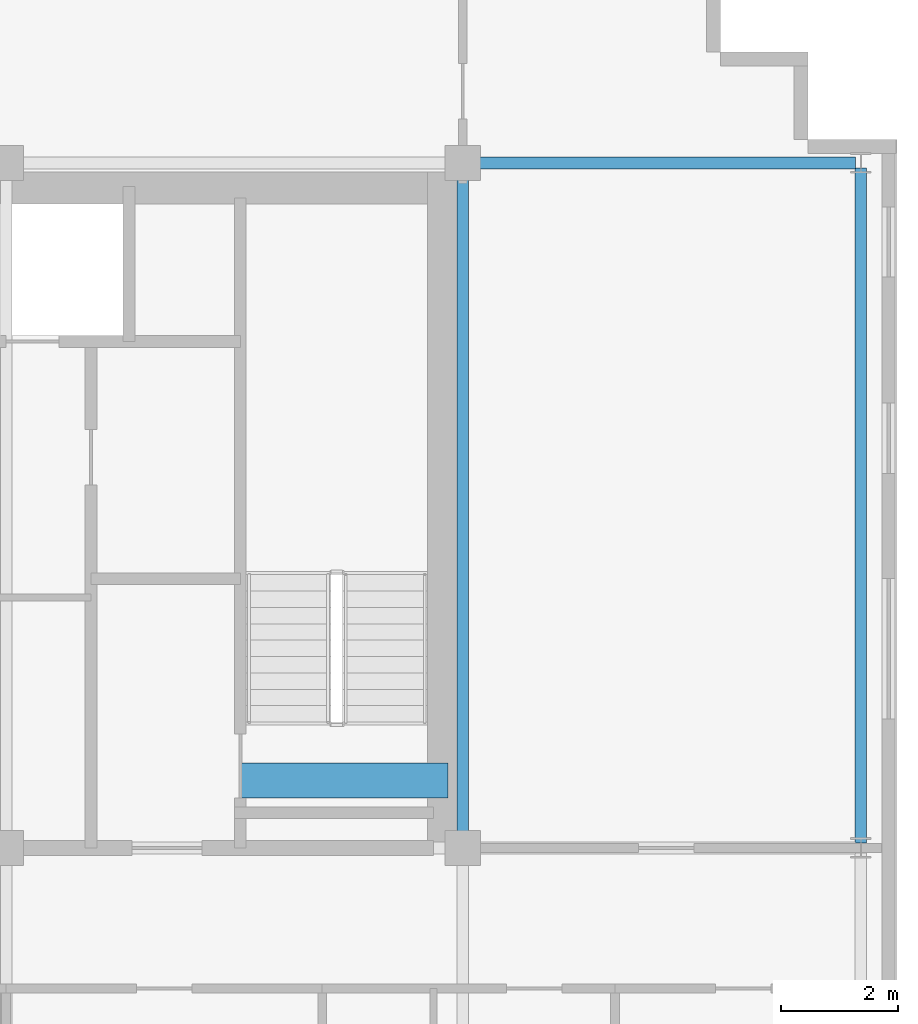
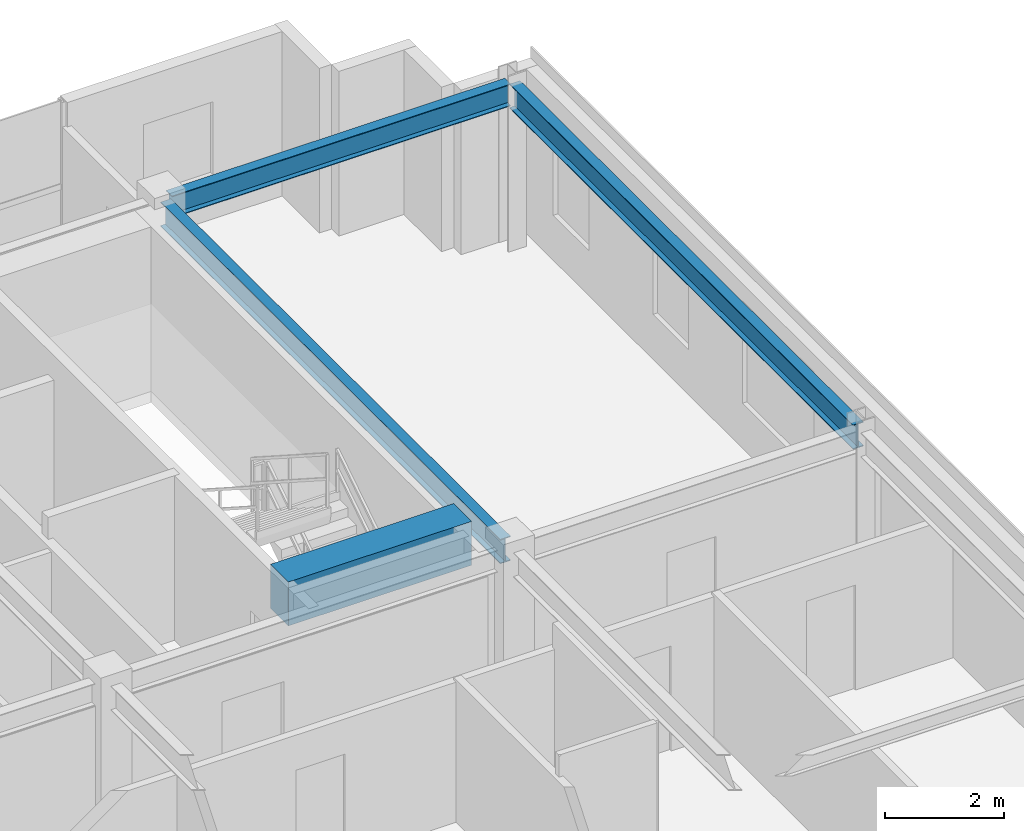
# One storey, part 13 of 23: 4 beams.
"""IFC4 building model written with IfcOpenShell, lengths in metres."""

from ifc_helpers import new_model, si_unit, direction, frame, origin, origin_2d, place, context, subcontext, project, spatial, rectangle, i_section, extrude, source, transform, mapped, material, material_profile, profile_set, type_object, element, save


model = new_model("IFC4")

# Units and contexts
model_context = context("Model", 3, precision=1e-05, world=origin(), true_north=direction((0.0, 1.0)))
body_context = subcontext(model_context, "Body", "Model", "MODEL_VIEW")
ifc_project = project(units=[si_unit("LENGTHUNIT", "METRE"), si_unit("AREAUNIT", "SQUARE_METRE"), si_unit("VOLUMEUNIT", "CUBIC_METRE"), si_unit("PLANEANGLEUNIT", "RADIAN"), si_unit("MASSUNIT", "GRAM", prefix="KILO")], contexts=[model_context])

# Site, building, storey
site_placement = place(None, origin())
site = spatial("IfcSite", under=ifc_project, at=site_placement, CompositionType="ELEMENT")
building_placement = place(site_placement, origin())
building = spatial("IfcBuilding", under=site, at=building_placement, Name="Trelvane Seafront Commons", CompositionType="ELEMENT")
storey_placement = place(building_placement, frame((0.0, 0.0, 266.699951171875)))
storey = spatial("IfcBuildingStorey", under=building, at=storey_placement, Name="L69", CompositionType="ELEMENT", Elevation=266.699951171875)

# Beams
ifc_material_1 = material(Name="Concrete C60/75", Category="concrete")
ifc_material_profile_1 = material_profile(ifc_material_1, rectangle(XDim=0.60009765625, YDim=0.89990234375, at=origin_2d()), Name="RC-600x900")
ifc_profile_set_1 = profile_set([ifc_material_profile_1], Name="Concrete C60/75")
beam_type_1 = type_object("IfcBeamType", Name="STR-LNT-RC600x900", PredefinedType="LINTEL", material=ifc_profile_set_1)
shared_shape_1 = source(origin(), body_context, "Body", "SweptSolid", [
    extrude(rectangle(XDim=0.60009765625, YDim=0.89990234375, at=origin_2d()), origin(), (0.0, 0.0, 1.0), 3.550048828125),
])
beam_1_placement = place(storey_placement, frame((55.0, 34.550048828125, 2.920166015625), z_axis=(1.0, 0.0, 0.0), x_axis=(0.0, 1.0, 0.0)))
element("IfcBeam", 1, at=beam_1_placement, inside=storey, type_object=beam_type_1, Name="L69 Core Coupling Lintel Beam CB-68", PredefinedType="LINTEL", context=body_context, shape_type="MappedRepresentation", body=[
    mapped(shared_shape_1, transform((0.0, 0.0, 0.0), x_axis=(1.0, 0.0, 0.0), y_axis=(0.0, 1.0, 0.0), z_axis=(0.0, 0.0, 1.0), scale=1.0)),
])
ifc_material_2 = material(Name="Steel SM355 (S355)", Category="steel")
ifc_material_profile_2 = material_profile(ifc_material_2, i_section(OverallWidth=0.199951171875, OverallDepth=0.5, WebThickness=0.010009765625, FlangeThickness=0.01611328125, at=origin_2d()), Name="H-500x200x10x16")
ifc_profile_set_2 = profile_set([ifc_material_profile_2], Name="Steel SM355 (S355)")
beam_type_2 = type_object("IfcBeamType", Name="STR-BM-H500", PredefinedType="BEAM", material=ifc_profile_set_2)
shared_shape_2 = source(origin(), body_context, "Body", "SweptSolid", [
    extrude(i_section(OverallWidth=0.199951171875, OverallDepth=0.5, WebThickness=0.010009765625, FlangeThickness=0.01611328125, at=origin_2d()), origin(), (0.0, 0.0, 1.0), 11.39990234375),
])
beam_2_placement = place(storey_placement, frame((58.800048828125, 33.550048828125, 3.1201171875), z_axis=(0.0, 1.0, 0.0), x_axis=(-1.0, 0.0, 0.0)))
element("IfcBeam", 2, at=beam_2_placement, inside=storey, type_object=beam_type_2, Name="L69 Primary Girder G-49", PredefinedType="BEAM", context=body_context, shape_type="MappedRepresentation", body=[
    mapped(shared_shape_2, transform((0.0, 0.0, 0.0), x_axis=(1.0, 0.0, 0.0), y_axis=(0.0, 1.0, 0.0), z_axis=(0.0, 0.0, 1.0), scale=1.0)),
])
ifc_material_profile_3 = material_profile(ifc_material_2, i_section(OverallWidth=0.199951171875, OverallDepth=0.449951171875, WebThickness=0.009033203125, FlangeThickness=0.013916015625, at=origin_2d()), Name="H-450x200x9x14")
ifc_profile_set_3 = profile_set([ifc_material_profile_3], Name="Steel SM355 (S355)")
beam_type_3 = type_object("IfcBeamType", Name="STR-SPD-H450", PredefinedType="SPANDREL", material=ifc_profile_set_3)
shared_shape_3 = source(origin(), body_context, "Body", "SweptSolid", [
    extrude(i_section(OverallWidth=0.199951171875, OverallDepth=0.449951171875, WebThickness=0.009033203125, FlangeThickness=0.013916015625, at=origin_2d()), origin(), (0.0, 0.0, 1.0), 6.5625),
])
beam_3_placement = place(storey_placement, frame((58.949951171875, 45.10009765625, 3.14501953125), z_axis=(1.0, 0.0, 0.0), x_axis=(0.0, 1.0, 0.0)))
element("IfcBeam", 3, at=beam_3_placement, inside=storey, type_object=beam_type_3, Name="L69 Primary Girder G-28", PredefinedType="SPANDREL", context=body_context, shape_type="MappedRepresentation", body=[
    mapped(shared_shape_3, transform((0.0, 0.0, 0.0), x_axis=(1.0, 0.0, 0.0), y_axis=(0.0, 1.0, 0.0), z_axis=(0.0, 0.0, 1.0), scale=1.0)),
])
shared_shape_4 = source(origin(), body_context, "Body", "SweptSolid", [
    extrude(i_section(OverallWidth=0.199951171875, OverallDepth=0.5, WebThickness=0.010009765625, FlangeThickness=0.01611328125, at=origin_2d()), origin(), (0.0, 0.0, 1.0), 11.52490234375),
])
beam_4_placement = place(storey_placement, frame((65.60009765625, 33.487548828125, 3.1201171875), z_axis=(0.0, 1.0, 0.0), x_axis=(-1.0, 0.0, 0.0)))
element("IfcBeam", 4, at=beam_4_placement, inside=storey, type_object=beam_type_2, Name="L69 Primary Girder G-52", PredefinedType="BEAM", context=body_context, shape_type="MappedRepresentation", body=[
    mapped(shared_shape_4, transform((0.0, 0.0, 0.0), x_axis=(1.0, 0.0, 0.0), y_axis=(0.0, 1.0, 0.0), z_axis=(0.0, 0.0, 1.0), scale=1.0)),
])

save(model, "model.ifc")
